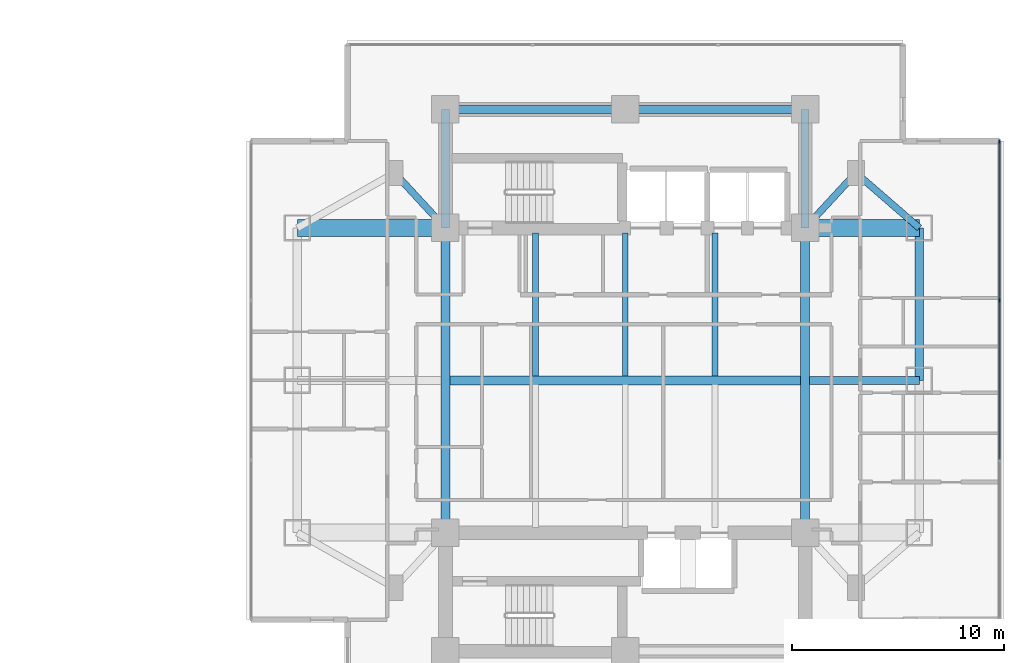
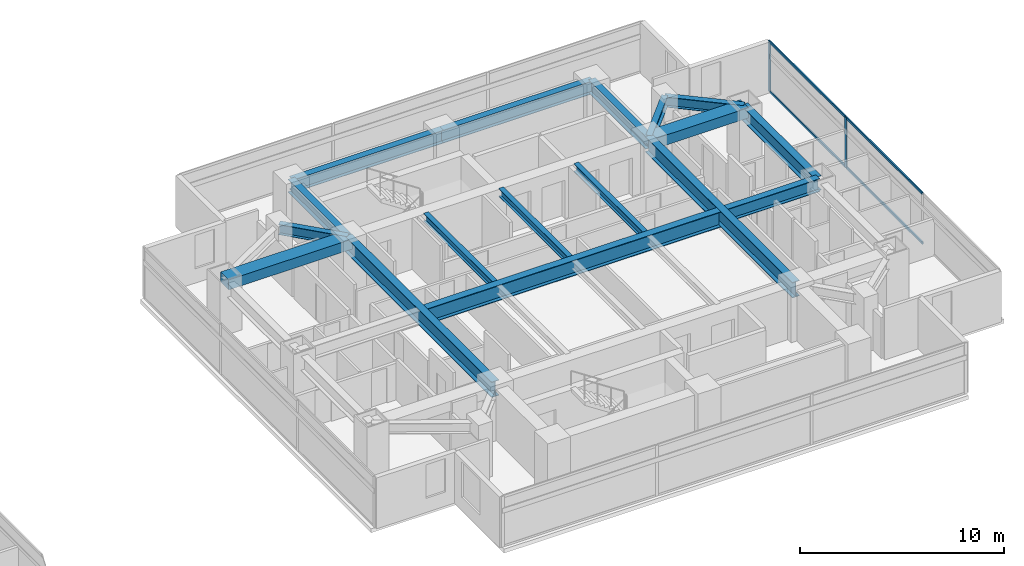
# One storey, part 10 of 27: 17 beams, 6 members, 1 element without a shape of its own.
"""IFC4 building model written with IfcOpenShell, lengths in metres."""

import ifcopenshell
import ifcopenshell.guid

model = None  # the IFC model being written
_history = None  # IfcOwnerHistory: only IFC2X3 demands one
_inside = {}  # id of a spatial element -> (the spatial element, [elements in it])
_under = {}  # id of a project, library or spatial element -> (it, [spatial elements below it])
_declared = {}  # id of a project -> (the project, [libraries it declares])
_typed = {}  # id of a type object -> (the type object, [elements of that type])
_made_of = {}  # id of a material, layer set ... -> (it, [elements and type objects made of it])


def new_model(schema):
    """Start an empty IFC model of exactly this schema.

    Asked for "IFC4X3", IfcOpenShell would pick the latest addendum, in which some entities
    have other attributes; the version numbers below select the first issue.
    IFC2X3 requires an IfcOwnerHistory on every rooted entity: one is made here for all.
    """
    global model, _history
    if schema == "IFC4X3":
        model = ifcopenshell.file(schema_version=(4, 3, 0, 0))
    else:
        model = ifcopenshell.file(schema=schema)
    _inside.clear()
    _under.clear()
    _declared.clear()
    _typed.clear()
    _made_of.clear()
    _history = None
    if model.schema == "IFC2X3":
        org = make("IfcOrganization", Name="unknown")
        user = make(
            "IfcPersonAndOrganization",
            ThePerson=make("IfcPerson", FamilyName="unknown"),
            TheOrganization=org,
        )
        app = make(
            "IfcApplication",
            ApplicationDeveloper=org,
            Version="unknown",
            ApplicationFullName="unknown",
            ApplicationIdentifier="unknown",
        )
        _history = make(
            "IfcOwnerHistory",
            OwningUser=user,
            OwningApplication=app,
            ChangeAction="ADDED",
            CreationDate=0,
        )
    return model


def make(cls, **values):
    """One entity of the class cls with the attributes given. An attribute that is None is left unset."""
    return model.create_entity(
        cls, **{name: value for name, value in values.items() if value is not None}
    )


def rooted(cls, **values):
    """An entity with a GlobalId (a new one), such as an element, a storey or a relation."""
    return make(cls, GlobalId=ifcopenshell.guid.new(), OwnerHistory=_history, **values)


def si_unit(unit_type, name, prefix=None):
    """IfcSIUnit, for example si_unit("LENGTHUNIT", "METRE", prefix="MILLI")."""
    return make("IfcSIUnit", UnitType=unit_type, Prefix=prefix, Name=name)


def assignment(units):
    """IfcUnitAssignment: the units of a project."""
    return None if units is None else make("IfcUnitAssignment", Units=units)


def point(xyz):
    """IfcCartesianPoint."""
    return None if xyz is None else make("IfcCartesianPoint", Coordinates=xyz)


def direction(xyz):
    """IfcDirection."""
    return None if xyz is None else make("IfcDirection", DirectionRatios=xyz)


def frame(location, z_axis=None, x_axis=None):
    """IfcAxis2Placement3D, a coordinate frame: its origin and axes. An axis left out is left unset."""
    return make(
        "IfcAxis2Placement3D",
        Location=point(location),
        Axis=direction(z_axis),
        RefDirection=direction(x_axis),
    )


def frame_2d(location, x_axis=None):
    """IfcAxis2Placement2D, a coordinate frame in the plane: its origin and x axis."""
    return make(
        "IfcAxis2Placement2D", Location=point(location), RefDirection=direction(x_axis)
    )


def origin():
    """The frame at (0, 0, 0) with its axes left unset."""
    return frame((0.0, 0.0, 0.0))


def origin_2d():
    """The frame at (0, 0) in the plane with its x axis left unset."""
    return frame_2d((0.0, 0.0))


def place(relative_to, where):
    """IfcLocalPlacement: puts the frame where relative to a parent placement (None: the world)."""
    return make(
        "IfcLocalPlacement", PlacementRelTo=relative_to, RelativePlacement=where
    )


def context(
    kind, dimensions, precision=None, world=None, true_north=None, identifier=None
):
    """IfcGeometricRepresentationContext, for example the 3D "Model" context."""
    return make(
        "IfcGeometricRepresentationContext",
        ContextIdentifier=identifier,
        ContextType=kind,
        CoordinateSpaceDimension=dimensions,
        Precision=precision,
        WorldCoordinateSystem=world,
        TrueNorth=true_north,
    )


def subcontext(parent, identifier, kind, view, scale=None):
    """IfcGeometricRepresentationSubContext, for example "Body" below "Model"."""
    return make(
        "IfcGeometricRepresentationSubContext",
        ContextIdentifier=identifier,
        ContextType=kind,
        ParentContext=parent,
        TargetScale=scale,
        TargetView=view,
    )


def project(units=None, contexts=None):
    """IfcProject with its units and contexts."""
    return rooted(
        "IfcProject",
        Name="project",
        RepresentationContexts=contexts,
        UnitsInContext=assignment(units),
    )


def spatial(cls, under=None, at=None, **own):
    """A site, building, storey or space (cls), placed at a placement, below another one or the project."""
    s = rooted(cls, ObjectPlacement=at, **own)
    if under is not None:
        _under.setdefault(under.id(), (under, []))[1].append(s)
    return s


def profile(cls, at=None, kind="AREA", **sizes):
    """A parametric profile (cls). Its sizes go by their IFC names, for example OverallWidth=200.0."""
    return make(cls, ProfileType=kind, Position=at, **sizes)


def rectangle(**sizes):
    """IfcRectangleProfileDef."""
    return profile("IfcRectangleProfileDef", **sizes)


def i_section(**sizes):
    """IfcIShapeProfileDef."""
    return profile("IfcIShapeProfileDef", **sizes)


def extrude(swept, where, along, depth):
    """IfcExtrudedAreaSolid: the profile swept, set in the frame where, extruded along a direction by depth."""
    return make(
        "IfcExtrudedAreaSolid",
        SweptArea=swept,
        Position=where,
        ExtrudedDirection=direction(along),
        Depth=depth,
    )


def shape(context_of_items, identifier, shape_type, items):
    """IfcShapeRepresentation: the items that make up one representation, for example the "Body"."""
    return make(
        "IfcShapeRepresentation",
        ContextOfItems=context_of_items,
        RepresentationIdentifier=identifier,
        RepresentationType=shape_type,
        Items=items,
    )


def material(Name=None, Category=None):
    """IfcMaterial."""
    return make("IfcMaterial", Name=Name, Category=Category)


def material_profile(
    of_material, cross_section, Name=None, Category=None, Priority=None
):
    """IfcMaterialProfile: a cross section and its material."""
    return make(
        "IfcMaterialProfile",
        Name=Name,
        Material=of_material,
        Profile=cross_section,
        Priority=Priority,
        Category=Category,
    )


def profile_set(profiles, Name=None, composite=None):
    """IfcMaterialProfileSet."""
    return make(
        "IfcMaterialProfileSet",
        Name=Name,
        MaterialProfiles=profiles,
        CompositeProfile=composite,
    )


def made_of(thing, what):
    """Note that an element or type object is made of a material, layer set ...; save() writes the relation."""
    if what is not None:
        _made_of.setdefault(what.id(), (what, []))[1].append(thing)
    return thing


def type_object(cls, material=None, **own):
    """A type object (cls), such as IfcWallType, which elements share."""
    return made_of(rooted(cls, **own), material)


def element(
    cls,
    number,
    at=None,
    inside=None,
    cuts=None,
    type_object=None,
    material=None,
    context=None,
    identifier="Body",
    shape_type=None,
    held_by="IfcProductDefinitionShape",
    body=None,
    shapes=None,
    **own,
):
    """One element of the class cls, such as IfcWall. Its Tag is "e" and its number.

    at: its placement. inside: the storey or other place that contains it. cuts: it is an
    opening in that element (IfcRelVoidsElement). A single representation is given by context,
    identifier, shape_type and body (its items); several are given by shapes. held_by: the class
    of the entity that holds the representations. save() writes the other relations.
    """
    e = rooted(cls, Tag="e%d" % number, ObjectPlacement=at, **own)
    if body is not None:
        shapes = [shape(context, identifier, shape_type, body)]
    if shapes is not None:
        e.Representation = make(held_by, Representations=shapes)
    if inside is not None:
        _inside.setdefault(inside.id(), (inside, []))[1].append(e)
    if cuts is not None:
        rooted(
            "IfcRelVoidsElement", RelatingBuildingElement=cuts, RelatedOpeningElement=e
        )
    if type_object is not None:
        _typed.setdefault(type_object.id(), (type_object, []))[1].append(e)
    return made_of(e, material)


def aggregate(whole, parts):
    """IfcRelAggregates: a whole, such as a stair, and the parts it consists of."""
    return rooted("IfcRelAggregates", RelatingObject=whole, RelatedObjects=parts)


def save(model, path):
    """Write the relations noted so far, then the file.

    IfcRelAggregates (storeys below a building ...), IfcRelContainedInSpatialStructure (elements
    in a storey), IfcRelDefinesByType, IfcRelAssociatesMaterial and IfcRelDeclares: one each for
    every whole, place, type object, material and project.
    """
    for whole, parts in _under.values():
        aggregate(whole, parts)
    for where, things in _inside.values():
        rooted(
            "IfcRelContainedInSpatialStructure",
            RelatedElements=things,
            RelatingStructure=where,
        )
    for kind, things in _typed.values():
        rooted("IfcRelDefinesByType", RelatedObjects=things, RelatingType=kind)
    for what, things in _made_of.values():
        rooted("IfcRelAssociatesMaterial", RelatedObjects=things, RelatingMaterial=what)
    for by, libraries in _declared.values():
        rooted("IfcRelDeclares", RelatingContext=by, RelatedDefinitions=libraries)
    model.write(path)


model = new_model("IFC4")

# Units and contexts
model_context = context("Model", 3, precision=1e-05, world=origin(), true_north=direction((0.0, 1.0)))
body_context = subcontext(model_context, "Body", "Model", "MODEL_VIEW")
ifc_project = project(units=[si_unit("LENGTHUNIT", "METRE"), si_unit("AREAUNIT", "SQUARE_METRE"), si_unit("VOLUMEUNIT", "CUBIC_METRE"), si_unit("PLANEANGLEUNIT", "RADIAN"), si_unit("MASSUNIT", "GRAM", prefix="KILO")], contexts=[model_context])

# Site, building, storey
site_placement = place(None, origin())
site = spatial("IfcSite", under=ifc_project, at=site_placement, CompositionType="ELEMENT")
building_placement = place(site_placement, origin())
building = spatial("IfcBuilding", under=site, at=building_placement, Name="Mirazonda Arch Towers", CompositionType="ELEMENT")
storey_placement = place(building_placement, frame((0.0, 0.0, 55.39990234375)))
storey = spatial("IfcBuildingStorey", under=building, at=storey_placement, Name="L15", CompositionType="ELEMENT", Elevation=55.39990234375)

# Beams
ifc_material_1 = material(Name="Steel ASTM A992 Grade 50", Category="steel")
ifc_material_profile_1 = material_profile(ifc_material_1, i_section(OverallWidth=0.39990234375, OverallDepth=0.85595703125, WebThickness=0.018310546875, FlangeThickness=0.029296875, at=origin_2d()), Name="W33X201")
ifc_profile_set_1 = profile_set([ifc_material_profile_1], Name="Steel ASTM A992 Grade 50")
beam_type_1 = type_object("IfcBeamType", Name="BM-EXT-W33X201", PredefinedType="USERDEFINED", material=ifc_profile_set_1)
beam_1_placement = place(storey_placement, frame((90.39990234375, 28.0, 2.632080078125), z_axis=(0.0, 1.0, 0.0), x_axis=(-1.0, 0.0, 0.0)))
element("IfcBeam", 1, at=beam_1_placement, inside=storey, type_object=beam_type_1, Name="L15 Floor Beam BM-T2-L15-NS-E-28", ObjectType="GIRDER", PredefinedType="USERDEFINED", context=body_context, shape_type="SweptSolid", body=[
    extrude(i_section(OverallWidth=0.39990234375, OverallDepth=0.85595703125, WebThickness=0.018310546875, FlangeThickness=0.029296875, at=origin_2d()), origin(), (0.0, 0.0, 1.0), 7.199951171875),
])
ifc_material_profile_2 = material_profile(ifc_material_1, i_section(OverallWidth=0.280029296875, OverallDepth=0.462890625, WebThickness=0.0107421875, FlangeThickness=0.017333984375, at=origin_2d()), Name="W18X76")
ifc_profile_set_2 = profile_set([ifc_material_profile_2], Name="Steel ASTM A992 Grade 50")
beam_type_2 = type_object("IfcBeamType", Name="BM-INT-W18X76", PredefinedType="JOIST", material=ifc_profile_set_2)
for number, where, z_axis, x_axis, name in (
    (2, (72.25, 28.205078125, 2.82861328125), (0.0, 1.0, 0.0), (-1.0, 0.0, 0.0), "L15 Floor Beam BM-T2-L15-J-722-28"),
    (3, (76.5, 28.205078125, 2.82861328125), (0.0, 1.0, 0.0), (-1.0, 0.0, 0.0), "L15 Floor Beam BM-T2-L15-J-765-28"),
    (4, (80.75, 28.205078125, 2.82861328125), (0.0, 1.0, 0.0), (-1.0, 0.0, 0.0), "L15 Floor Beam BM-T2-L15-J-807-28"),
):
    element("IfcBeam", number, at=place(storey_placement, frame(where, z_axis=z_axis, x_axis=x_axis)), inside=storey, type_object=beam_type_2, Name=name, PredefinedType="JOIST", context=body_context, shape_type="SweptSolid", body=[
        extrude(i_section(OverallWidth=0.280029296875, OverallDepth=0.462890625, WebThickness=0.0107421875, FlangeThickness=0.017333984375, at=origin_2d()), origin(), (0.0, 0.0, 1.0), 6.7548828125),
    ])
ifc_material_profile_3 = material_profile(ifc_material_1, i_section(OverallWidth=0.324951171875, OverallDepth=0.615966796875, WebThickness=0.013916015625, FlangeThickness=0.021484375, at=origin_2d()), Name="W24X117")
ifc_profile_set_3 = profile_set([ifc_material_profile_3], Name="Steel ASTM A992 Grade 50")
beam_type_3 = type_object("IfcBeamType", Name="BM-INT-W24X117", PredefinedType="BEAM", material=ifc_profile_set_3)
for number, where, z_axis, x_axis, name in (
    (5, (65.60009765625, 37.800048828125, 2.752197265625), (0.678251444854, -0.734829897019, 0.0), (0.734829897019, 0.678251444854, 0.0), "L15 Floor Beam BM-T2-L15-PL-NW1"),
    (6, (87.39990234375, 37.800048828125, 2.752197265625), (-0.678251444854, -0.734829897019, 0.0), (0.734829897019, -0.678251444854, 0.0), "L15 Floor Beam BM-T2-L15-PL-NE1"),
):
    element("IfcBeam", number, at=place(storey_placement, frame(where, z_axis=z_axis, x_axis=x_axis)), inside=storey, type_object=beam_type_3, Name=name, PredefinedType="BEAM", context=body_context, shape_type="SweptSolid", body=[
        extrude(i_section(OverallWidth=0.324951171875, OverallDepth=0.615966796875, WebThickness=0.013916015625, FlangeThickness=0.021484375, at=origin_2d()), origin(), (0.0, 0.0, 1.0), 3.538330078125),
    ])
beam_2_placement = place(storey_placement, frame((87.39990234375, 37.800048828125, 2.752197265625), z_axis=(0.755676908098, -0.654944585876, 0.0), x_axis=(0.654944585876, 0.755676908098, 0.0)))
element("IfcBeam", 7, at=beam_2_placement, inside=storey, type_object=beam_type_3, Name="L15 Floor Beam BM-T2-L15-PL-NE2", PredefinedType="BEAM", context=body_context, shape_type="SweptSolid", body=[
    extrude(i_section(OverallWidth=0.324951171875, OverallDepth=0.615966796875, WebThickness=0.013916015625, FlangeThickness=0.021484375, at=origin_2d()), origin(), (0.0, 0.0, 1.0), 3.969970703125),
])
ifc_material_profile_4 = material_profile(ifc_material_1, i_section(OverallWidth=0.381103515625, OverallDepth=0.77294921875, WebThickness=0.0166015625, FlangeThickness=0.027099609375, at=origin_2d()), Name="W30X173")
ifc_profile_set_4 = profile_set([ifc_material_profile_4], Name="Steel ASTM A992 Grade 50")
beam_type_4 = type_object("IfcBeamType", Name="BM-INT-W30X173", PredefinedType="USERDEFINED", material=ifc_profile_set_4)
for number, where, z_axis, x_axis, name in (
    (8, (68.0, 40.800048828125, 2.673583984375), (1.0, 0.0, 0.0), (0.0, 1.0, 0.0), "L15 Floor Beam BM-T2-L15-CN1"),
    (9, (76.5, 40.800048828125, 2.673583984375), (1.0, 0.0, 0.0), (0.0, 1.0, 0.0), "L15 Floor Beam BM-T2-L15-CN2"),
):
    element("IfcBeam", number, at=place(storey_placement, frame(where, z_axis=z_axis, x_axis=x_axis)), inside=storey, type_object=beam_type_4, Name=name, ObjectType="GIRDER", PredefinedType="USERDEFINED", context=body_context, shape_type="SweptSolid", body=[
        extrude(i_section(OverallWidth=0.381103515625, OverallDepth=0.77294921875, WebThickness=0.0166015625, FlangeThickness=0.027099609375, at=origin_2d()), origin(), (0.0, 0.0, 1.0), 8.5),
    ])
for number, where, z_axis, x_axis, name in (
    (10, (68.0, 35.199951171875, 2.673583984375), (0.0, 1.0, 0.0), (-1.0, 0.0, 0.0), "L15 Floor Beam BM-T2-L15-CNW"),
    (11, (85.0, 35.199951171875, 2.673583984375), (0.0, 1.0, 0.0), (-1.0, 0.0, 0.0), "L15 Floor Beam BM-T2-L15-CNE"),
):
    element("IfcBeam", number, at=place(storey_placement, frame(where, z_axis=z_axis, x_axis=x_axis)), inside=storey, type_object=beam_type_4, Name=name, ObjectType="GIRDER", PredefinedType="USERDEFINED", context=body_context, shape_type="SweptSolid", body=[
        extrude(i_section(OverallWidth=0.381103515625, OverallDepth=0.77294921875, WebThickness=0.0166015625, FlangeThickness=0.027099609375, at=origin_2d()), origin(), (0.0, 0.0, 1.0), 5.60009765625),
    ])
beam_3_placement = place(storey_placement, frame((85.208984375, 28.0, 2.673583984375), z_axis=(1.0, 0.0, 0.0), x_axis=(0.0, 1.0, 0.0)))
element("IfcBeam", 12, at=beam_3_placement, inside=storey, type_object=beam_type_4, Name="L15 Floor Beam BM-T2-L15-GE2", ObjectType="GIRDER", PredefinedType="USERDEFINED", context=body_context, shape_type="SweptSolid", body=[
    extrude(i_section(OverallWidth=0.381103515625, OverallDepth=0.77294921875, WebThickness=0.0166015625, FlangeThickness=0.027099609375, at=origin_2d()), origin(), (0.0, 0.0, 1.0), 5.19091796875),
])
ifc_material_profile_5 = material_profile(ifc_material_1, i_section(OverallWidth=0.41796875, OverallDepth=0.927001953125, WebThickness=0.019287109375, FlangeThickness=0.031982421875, at=origin_2d()), Name="W36X231")
ifc_profile_set_5 = profile_set([ifc_material_profile_5], Name="Steel ASTM A992 Grade 50")
beam_type_5 = type_object("IfcBeamType", Name="BM-INT-W36X231", PredefinedType="USERDEFINED", material=ifc_profile_set_5)
beam_4_placement = place(storey_placement, frame((68.208984375, 28.0, 2.5966796875), z_axis=(1.0, 0.0, 0.0), x_axis=(0.0, 1.0, 0.0)))
element("IfcBeam", 13, at=beam_4_placement, inside=storey, type_object=beam_type_5, Name="L15 Floor Beam BM-T2-L15-GC2", ObjectType="GIRDER", PredefinedType="USERDEFINED", context=body_context, shape_type="SweptSolid", body=[
    extrude(i_section(OverallWidth=0.41796875, OverallDepth=0.927001953125, WebThickness=0.019287109375, FlangeThickness=0.031982421875, at=origin_2d()), origin(), (0.0, 0.0, 1.0), 16.58203125),
])
for number, where, z_axis, x_axis, name in (
    (14, (68.0, 20.800048828125, 2.5966796875), (0.0, 1.0, 0.0), (-1.0, 0.0, 0.0), "L15 Floor Beam BM-T2-L15-NS-CW-FULL"),
    (15, (85.0, 20.800048828125, 2.5966796875), (0.0, 1.0, 0.0), (-1.0, 0.0, 0.0), "L15 Floor Beam BM-T2-L15-NS-CE-FULL"),
):
    element("IfcBeam", number, at=place(storey_placement, frame(where, z_axis=z_axis, x_axis=x_axis)), inside=storey, type_object=beam_type_5, Name=name, ObjectType="GIRDER", PredefinedType="USERDEFINED", context=body_context, shape_type="SweptSolid", body=[
        extrude(i_section(OverallWidth=0.41796875, OverallDepth=0.927001953125, WebThickness=0.019287109375, FlangeThickness=0.031982421875, at=origin_2d()), origin(), (0.0, 0.0, 1.0), 14.39990234375),
    ])
ifc_material_2 = material(Name="Concrete C60/75", Category="concrete")
ifc_material_profile_6 = material_profile(ifc_material_2, rectangle(XDim=0.800048828125, YDim=0.60009765625, at=origin_2d()), Name="RCCB800x600")
ifc_profile_set_6 = profile_set([ifc_material_profile_6], Name="Concrete C60/75")
beam_type_6 = type_object("IfcBeamType", Name="CB-INT-RCCB800x600", PredefinedType="SPANDREL", material=ifc_profile_set_6)
beam_5_placement = place(storey_placement, frame((61.0, 35.199951171875, 2.760009765625), z_axis=(1.0, 0.0, 0.0), x_axis=(0.0, 1.0, 0.0)))
element("IfcBeam", 16, at=beam_5_placement, inside=storey, type_object=beam_type_6, Name="L15 Floor Beam CBC-T2-L15-NW", PredefinedType="SPANDREL", context=body_context, shape_type="SweptSolid", body=[
    extrude(rectangle(XDim=0.800048828125, YDim=0.60009765625, at=origin_2d()), origin(), (0.0, 0.0, 1.0), 7.0),
])
beam_6_placement = place(storey_placement, frame((85.0, 35.199951171875, 2.760009765625), z_axis=(1.0, 0.0, 0.0), x_axis=(0.0, 1.0, 0.0)))
element("IfcBeam", 17, at=beam_6_placement, inside=storey, type_object=beam_type_6, Name="L15 Floor Beam CBC-T2-L15-NE", PredefinedType="SPANDREL", context=body_context, shape_type="SweptSolid", body=[
    extrude(rectangle(XDim=0.800048828125, YDim=0.60009765625, at=origin_2d()), origin(), (0.0, 0.0, 1.0), 5.39990234375),
])

# Curtain wall, members
ifc_material_3 = material(Name="Anodised Aluminium and Low-E Glass", Category="aluminium")
curtain_wall_type = type_object("IfcCurtainWallType", Name="CW-HTL-UNIT", PredefinedType="NOTDEFINED", material=ifc_material_3)
curtain_wall_placement = place(storey_placement, origin())
curtain_wall = element("IfcCurtainWall", 18, at=curtain_wall_placement, inside=storey, type_object=curtain_wall_type, Name="L15 T2 E Facade CW-L15-T2-E", PredefinedType="NOTDEFINED")
ifc_material_4 = material(Name="Anodised Aluminium Alloy", Category="aluminium")
ifc_material_profile_7 = material_profile(ifc_material_4, rectangle(XDim=0.074951171875, YDim=0.1650390625, at=origin_2d()), Name="ALU-MULL-75x165")
ifc_profile_set_7 = profile_set([ifc_material_profile_7], Name="Anodised Aluminium Alloy")
member_type_1 = type_object("IfcMemberType", Name="MULL-CW-HTL-UNIT", PredefinedType="MULLION", material=ifc_profile_set_7)
member_1_placement = place(storey_placement, frame((94.177978515625, 31.77099609375, 0.0), z_axis=(0.0, 0.0, 1.0), x_axis=(-1.0, 0.0, 0.0)))
member_1 = element("IfcMember", 19, at=member_1_placement, type_object=member_type_1, Name="CW-112 mullion 3", PredefinedType="MULLION", context=body_context, shape_type="SweptSolid", body=[
    extrude(rectangle(XDim=0.074951171875, YDim=0.1650390625, at=origin_2d()), origin(), (0.0, 0.0, 1.0), 3.0400390625),
])
member_2_placement = place(storey_placement, frame((94.177978515625, 39.27587890625, 0.0), z_axis=(0.0, 0.0, 1.0), x_axis=(-1.0, 0.0, 0.0)))
member_2 = element("IfcMember", 20, at=member_2_placement, type_object=member_type_1, Name="CW-112 mullion 4", PredefinedType="MULLION", context=body_context, shape_type="SweptSolid", body=[
    extrude(rectangle(XDim=0.074951171875, YDim=0.1650390625, at=origin_2d()), origin(), (0.0, 0.0, 1.0), 3.0400390625),
])
ifc_material_profile_8 = material_profile(ifc_material_4, rectangle(XDim=0.074951171875, YDim=0.14501953125, at=origin_2d()), Name="ALU-TRAN-75x145")
ifc_profile_set_8 = profile_set([ifc_material_profile_8], Name="Anodised Aluminium Alloy")
member_type_2 = type_object("IfcMemberType", Name="TRAN-CW-HTL-UNIT", PredefinedType="USERDEFINED", material=ifc_profile_set_8)
member_3_placement = place(storey_placement, frame((94.177978515625, 24.266357421875, 0.03759765625), z_axis=(0.0, 1.0, 0.0), x_axis=(-1.0, 0.0, 0.0)))
member_3 = element("IfcMember", 21, at=member_3_placement, type_object=member_type_2, Name="CW-112 transom 2.1", ObjectType="TRANSOM", PredefinedType="USERDEFINED", context=body_context, shape_type="SweptSolid", body=[
    extrude(rectangle(XDim=0.074951171875, YDim=0.14501953125, at=origin_2d()), origin(), (0.0, 0.0, 1.0), 7.46728515625),
])
member_4_placement = place(storey_placement, frame((94.177978515625, 24.266357421875, 3.002685546875), z_axis=(0.0, 1.0, 0.0), x_axis=(-1.0, 0.0, 0.0)))
member_4 = element("IfcMember", 22, at=member_4_placement, type_object=member_type_2, Name="CW-112 transom 2.2", ObjectType="TRANSOM", PredefinedType="USERDEFINED", context=body_context, shape_type="SweptSolid", body=[
    extrude(rectangle(XDim=0.074951171875, YDim=0.14501953125, at=origin_2d()), origin(), (0.0, 0.0, 1.0), 7.46728515625),
])
member_5_placement = place(storey_placement, frame((94.177978515625, 31.80859375, 0.03759765625), z_axis=(0.0, 1.0, 0.0), x_axis=(-1.0, 0.0, 0.0)))
member_5 = element("IfcMember", 23, at=member_5_placement, type_object=member_type_2, Name="CW-112 transom 3.1", ObjectType="TRANSOM", PredefinedType="USERDEFINED", context=body_context, shape_type="SweptSolid", body=[
    extrude(rectangle(XDim=0.074951171875, YDim=0.14501953125, at=origin_2d()), origin(), (0.0, 0.0, 1.0), 7.4296875),
])
member_6_placement = place(storey_placement, frame((94.177978515625, 31.80859375, 3.002685546875), z_axis=(0.0, 1.0, 0.0), x_axis=(-1.0, 0.0, 0.0)))
member_6 = element("IfcMember", 24, at=member_6_placement, type_object=member_type_2, Name="CW-112 transom 3.2", ObjectType="TRANSOM", PredefinedType="USERDEFINED", context=body_context, shape_type="SweptSolid", body=[
    extrude(rectangle(XDim=0.074951171875, YDim=0.14501953125, at=origin_2d()), origin(), (0.0, 0.0, 1.0), 7.4296875),
])
aggregate(curtain_wall, [member_1, member_2, member_3, member_4, member_5, member_6])

save(model, "model.ifc")
